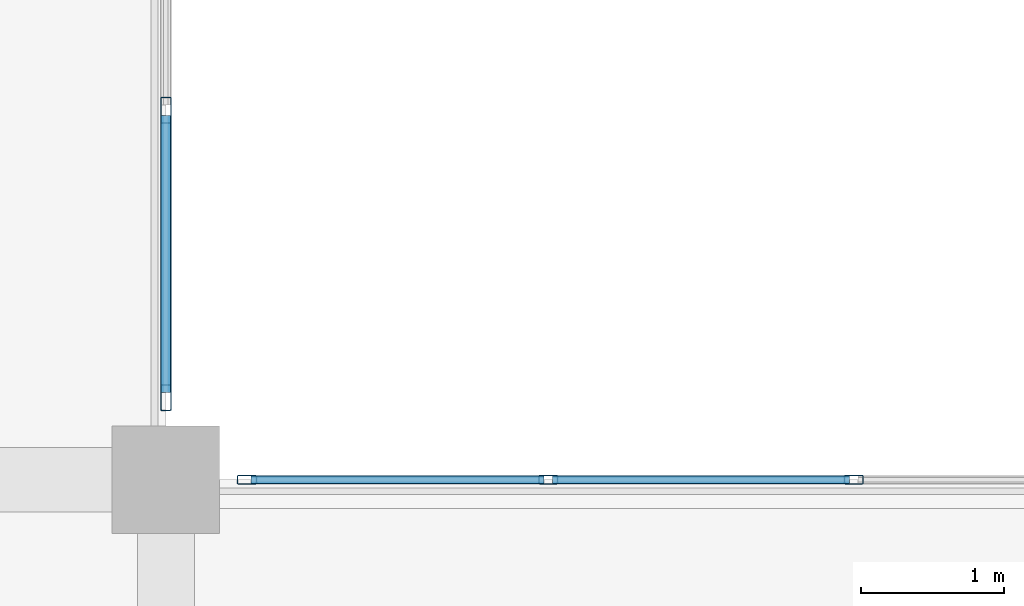
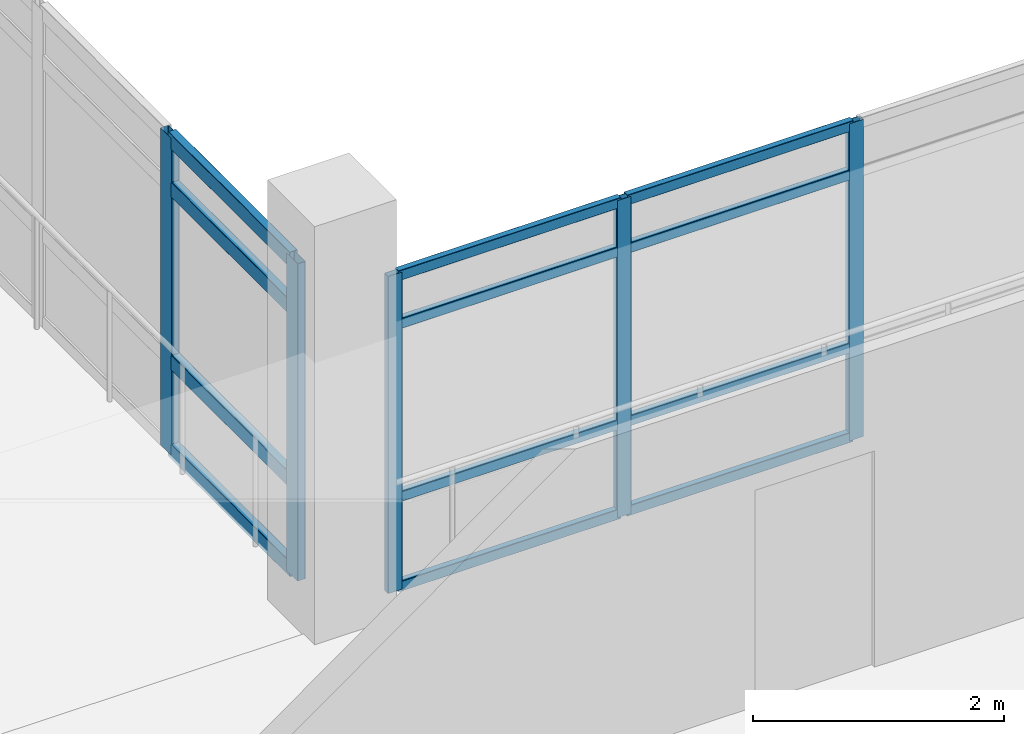
# One storey, part 80 of 180: 17 members, 2 elements without a shape of their own.
"""IFC4 building model written with IfcOpenShell, lengths in metres."""

import ifcopenshell
import ifcopenshell.guid

model = None  # the IFC model being written
_history = None  # IfcOwnerHistory: only IFC2X3 demands one
_inside = {}  # id of a spatial element -> (the spatial element, [elements in it])
_under = {}  # id of a project, library or spatial element -> (it, [spatial elements below it])
_declared = {}  # id of a project -> (the project, [libraries it declares])
_typed = {}  # id of a type object -> (the type object, [elements of that type])
_made_of = {}  # id of a material, layer set ... -> (it, [elements and type objects made of it])


def new_model(schema):
    """Start an empty IFC model of exactly this schema.

    Asked for "IFC4X3", IfcOpenShell would pick the latest addendum, in which some entities
    have other attributes; the version numbers below select the first issue.
    IFC2X3 requires an IfcOwnerHistory on every rooted entity: one is made here for all.
    """
    global model, _history
    if schema == "IFC4X3":
        model = ifcopenshell.file(schema_version=(4, 3, 0, 0))
    else:
        model = ifcopenshell.file(schema=schema)
    _inside.clear()
    _under.clear()
    _declared.clear()
    _typed.clear()
    _made_of.clear()
    _history = None
    if model.schema == "IFC2X3":
        org = make("IfcOrganization", Name="unknown")
        user = make(
            "IfcPersonAndOrganization",
            ThePerson=make("IfcPerson", FamilyName="unknown"),
            TheOrganization=org,
        )
        app = make(
            "IfcApplication",
            ApplicationDeveloper=org,
            Version="unknown",
            ApplicationFullName="unknown",
            ApplicationIdentifier="unknown",
        )
        _history = make(
            "IfcOwnerHistory",
            OwningUser=user,
            OwningApplication=app,
            ChangeAction="ADDED",
            CreationDate=0,
        )
    return model


def make(cls, **values):
    """One entity of the class cls with the attributes given. An attribute that is None is left unset."""
    return model.create_entity(
        cls, **{name: value for name, value in values.items() if value is not None}
    )


def rooted(cls, **values):
    """An entity with a GlobalId (a new one), such as an element, a storey or a relation."""
    return make(cls, GlobalId=ifcopenshell.guid.new(), OwnerHistory=_history, **values)


def si_unit(unit_type, name, prefix=None):
    """IfcSIUnit, for example si_unit("LENGTHUNIT", "METRE", prefix="MILLI")."""
    return make("IfcSIUnit", UnitType=unit_type, Prefix=prefix, Name=name)


def assignment(units):
    """IfcUnitAssignment: the units of a project."""
    return None if units is None else make("IfcUnitAssignment", Units=units)


def point(xyz):
    """IfcCartesianPoint."""
    return None if xyz is None else make("IfcCartesianPoint", Coordinates=xyz)


def direction(xyz):
    """IfcDirection."""
    return None if xyz is None else make("IfcDirection", DirectionRatios=xyz)


def frame(location, z_axis=None, x_axis=None):
    """IfcAxis2Placement3D, a coordinate frame: its origin and axes. An axis left out is left unset."""
    return make(
        "IfcAxis2Placement3D",
        Location=point(location),
        Axis=direction(z_axis),
        RefDirection=direction(x_axis),
    )


def frame_2d(location, x_axis=None):
    """IfcAxis2Placement2D, a coordinate frame in the plane: its origin and x axis."""
    return make(
        "IfcAxis2Placement2D", Location=point(location), RefDirection=direction(x_axis)
    )


def origin():
    """The frame at (0, 0, 0) with its axes left unset."""
    return frame((0.0, 0.0, 0.0))


def origin_2d():
    """The frame at (0, 0) in the plane with its x axis left unset."""
    return frame_2d((0.0, 0.0))


def place(relative_to, where):
    """IfcLocalPlacement: puts the frame where relative to a parent placement (None: the world)."""
    return make(
        "IfcLocalPlacement", PlacementRelTo=relative_to, RelativePlacement=where
    )


def context(
    kind, dimensions, precision=None, world=None, true_north=None, identifier=None
):
    """IfcGeometricRepresentationContext, for example the 3D "Model" context."""
    return make(
        "IfcGeometricRepresentationContext",
        ContextIdentifier=identifier,
        ContextType=kind,
        CoordinateSpaceDimension=dimensions,
        Precision=precision,
        WorldCoordinateSystem=world,
        TrueNorth=true_north,
    )


def subcontext(parent, identifier, kind, view, scale=None):
    """IfcGeometricRepresentationSubContext, for example "Body" below "Model"."""
    return make(
        "IfcGeometricRepresentationSubContext",
        ContextIdentifier=identifier,
        ContextType=kind,
        ParentContext=parent,
        TargetScale=scale,
        TargetView=view,
    )


def project(units=None, contexts=None):
    """IfcProject with its units and contexts."""
    return rooted(
        "IfcProject",
        Name="project",
        RepresentationContexts=contexts,
        UnitsInContext=assignment(units),
    )


def spatial(cls, under=None, at=None, **own):
    """A site, building, storey or space (cls), placed at a placement, below another one or the project."""
    s = rooted(cls, ObjectPlacement=at, **own)
    if under is not None:
        _under.setdefault(under.id(), (under, []))[1].append(s)
    return s


def profile(cls, at=None, kind="AREA", **sizes):
    """A parametric profile (cls). Its sizes go by their IFC names, for example OverallWidth=200.0."""
    return make(cls, ProfileType=kind, Position=at, **sizes)


def hollow_rectangle(**sizes):
    """IfcRectangleHollowProfileDef."""
    return profile("IfcRectangleHollowProfileDef", **sizes)


def extrude(swept, where, along, depth):
    """IfcExtrudedAreaSolid: the profile swept, set in the frame where, extruded along a direction by depth."""
    return make(
        "IfcExtrudedAreaSolid",
        SweptArea=swept,
        Position=where,
        ExtrudedDirection=direction(along),
        Depth=depth,
    )


def shape(context_of_items, identifier, shape_type, items):
    """IfcShapeRepresentation: the items that make up one representation, for example the "Body"."""
    return make(
        "IfcShapeRepresentation",
        ContextOfItems=context_of_items,
        RepresentationIdentifier=identifier,
        RepresentationType=shape_type,
        Items=items,
    )


def material(Name=None, Category=None):
    """IfcMaterial."""
    return make("IfcMaterial", Name=Name, Category=Category)


def layer(
    of_material, thickness, ventilated=None, Name=None, Category=None, Priority=None
):
    """IfcMaterialLayer: one layer of a wall or slab, of a material (None: an air gap)."""
    return make(
        "IfcMaterialLayer",
        Material=of_material,
        LayerThickness=thickness,
        IsVentilated=ventilated,
        Name=Name,
        Category=Category,
        Priority=Priority,
    )


def layer_set(layers, Name=None):
    """IfcMaterialLayerSet."""
    return make("IfcMaterialLayerSet", MaterialLayers=layers, LayerSetName=Name)


def material_profile(
    of_material, cross_section, Name=None, Category=None, Priority=None
):
    """IfcMaterialProfile: a cross section and its material."""
    return make(
        "IfcMaterialProfile",
        Name=Name,
        Material=of_material,
        Profile=cross_section,
        Priority=Priority,
        Category=Category,
    )


def profile_set(profiles, Name=None, composite=None):
    """IfcMaterialProfileSet."""
    return make(
        "IfcMaterialProfileSet",
        Name=Name,
        MaterialProfiles=profiles,
        CompositeProfile=composite,
    )


def made_of(thing, what):
    """Note that an element or type object is made of a material, layer set ...; save() writes the relation."""
    if what is not None:
        _made_of.setdefault(what.id(), (what, []))[1].append(thing)
    return thing


def type_object(cls, material=None, **own):
    """A type object (cls), such as IfcWallType, which elements share."""
    return made_of(rooted(cls, **own), material)


def element(
    cls,
    number,
    at=None,
    inside=None,
    cuts=None,
    type_object=None,
    material=None,
    context=None,
    identifier="Body",
    shape_type=None,
    held_by="IfcProductDefinitionShape",
    body=None,
    shapes=None,
    **own,
):
    """One element of the class cls, such as IfcWall. Its Tag is "e" and its number.

    at: its placement. inside: the storey or other place that contains it. cuts: it is an
    opening in that element (IfcRelVoidsElement). A single representation is given by context,
    identifier, shape_type and body (its items); several are given by shapes. held_by: the class
    of the entity that holds the representations. save() writes the other relations.
    """
    e = rooted(cls, Tag="e%d" % number, ObjectPlacement=at, **own)
    if body is not None:
        shapes = [shape(context, identifier, shape_type, body)]
    if shapes is not None:
        e.Representation = make(held_by, Representations=shapes)
    if inside is not None:
        _inside.setdefault(inside.id(), (inside, []))[1].append(e)
    if cuts is not None:
        rooted(
            "IfcRelVoidsElement", RelatingBuildingElement=cuts, RelatedOpeningElement=e
        )
    if type_object is not None:
        _typed.setdefault(type_object.id(), (type_object, []))[1].append(e)
    return made_of(e, material)


def aggregate(whole, parts):
    """IfcRelAggregates: a whole, such as a stair, and the parts it consists of."""
    return rooted("IfcRelAggregates", RelatingObject=whole, RelatedObjects=parts)


def save(model, path):
    """Write the relations noted so far, then the file.

    IfcRelAggregates (storeys below a building ...), IfcRelContainedInSpatialStructure (elements
    in a storey), IfcRelDefinesByType, IfcRelAssociatesMaterial and IfcRelDeclares: one each for
    every whole, place, type object, material and project.
    """
    for whole, parts in _under.values():
        aggregate(whole, parts)
    for where, things in _inside.values():
        rooted(
            "IfcRelContainedInSpatialStructure",
            RelatedElements=things,
            RelatingStructure=where,
        )
    for kind, things in _typed.values():
        rooted("IfcRelDefinesByType", RelatedObjects=things, RelatingType=kind)
    for what, things in _made_of.values():
        rooted("IfcRelAssociatesMaterial", RelatedObjects=things, RelatingMaterial=what)
    for by, libraries in _declared.values():
        rooted("IfcRelDeclares", RelatingContext=by, RelatedDefinitions=libraries)
    model.write(path)


model = new_model("IFC4")

# Units and contexts
model_context = context("Model", 3, precision=1e-05, world=origin(), true_north=direction((0.0, 1.0)))
body_context = subcontext(model_context, "Body", "Model", "MODEL_VIEW")
ifc_project = project(units=[si_unit("LENGTHUNIT", "METRE"), si_unit("AREAUNIT", "SQUARE_METRE"), si_unit("VOLUMEUNIT", "CUBIC_METRE"), si_unit("PLANEANGLEUNIT", "RADIAN"), si_unit("MASSUNIT", "GRAM", prefix="KILO")], contexts=[model_context])

# Site, building, storey
site_placement = place(None, origin())
site = spatial("IfcSite", under=ifc_project, at=site_placement, CompositionType="ELEMENT")
building_placement = place(site_placement, origin())
building = spatial("IfcBuilding", under=site, at=building_placement, Name="Asteropetra Specialist Clinic", CompositionType="ELEMENT")
storey_placement = place(building_placement, frame((0.0, 0.0, 4.419921875)))
storey = spatial("IfcBuildingStorey", under=building, at=storey_placement, Name="L01", CompositionType="ELEMENT", Elevation=4.419921875)

# Curtain wall, members
ifc_material_1 = material(Name="Aluminium and low-E glass", Category="aluminium")
ifc_layer_1 = layer(ifc_material_1, 0.14990234375)
ifc_layer_set_1 = layer_set([ifc_layer_1], Name="Aluminium and low-E glass")
curtain_wall_type_1 = type_object("IfcCurtainWallType", Name="CW-SYS-02", PredefinedType="USERDEFINED", material=ifc_layer_set_1)
curtain_wall_1_placement = place(storey_placement, origin())
curtain_wall_1 = element("IfcCurtainWall", 1, at=curtain_wall_1_placement, inside=storey, type_object=curtain_wall_type_1, Name="Curtain Wall CW-017", ObjectType="UNITISED CURTAIN WALL", PredefinedType="USERDEFINED")
ifc_material_2 = material(Name="Aluminium 6063-T6", Category="aluminium")
ifc_material_profile_1 = material_profile(ifc_material_2, hollow_rectangle(XDim=0.06005859375, YDim=0.135009765625, WallThickness=0.00341796875, InnerFilletRadius=0.00341796875, OuterFilletRadius=0.007080078125, at=origin_2d()), Name="MUL 135x60x3.5")
ifc_profile_set_1 = profile_set([ifc_material_profile_1], Name="Aluminium 6063-T6")
member_type_1 = type_object("IfcMemberType", Name="CWM-135x60", PredefinedType="MULLION", material=ifc_profile_set_1)
member_1_placement = place(storey_placement, frame((10.1650390625, 76.800048828125, 0.0), z_axis=(0.0, 0.0, 1.0), x_axis=(0.0, 1.0, 0.0)))
member_1 = element("IfcMember", 2, at=member_1_placement, type_object=member_type_1, Name="CW-017 mullion 1", PredefinedType="MULLION", context=body_context, shape_type="SweptSolid", body=[
    extrude(hollow_rectangle(XDim=0.06005859375, YDim=0.135009765625, WallThickness=0.00341796875, InnerFilletRadius=0.00341796875, OuterFilletRadius=0.007080078125, at=origin_2d()), origin(), (0.0, 0.0, 1.0), 3.080078125),
])
member_2_placement = place(storey_placement, frame((12.267578125, 76.800048828125, 0.0), z_axis=(0.0, 0.0, 1.0), x_axis=(0.0, 1.0, 0.0)))
member_2 = element("IfcMember", 3, at=member_2_placement, type_object=member_type_1, Name="CW-017 mullion 2", PredefinedType="MULLION", context=body_context, shape_type="SweptSolid", body=[
    extrude(hollow_rectangle(XDim=0.06005859375, YDim=0.135009765625, WallThickness=0.00341796875, InnerFilletRadius=0.00341796875, OuterFilletRadius=0.007080078125, at=origin_2d()), origin(), (0.0, 0.0, 1.0), 3.080078125),
])
member_3_placement = place(storey_placement, frame((14.39990234375, 76.800048828125, 0.0), z_axis=(0.0, 0.0, 1.0), x_axis=(0.0, 1.0, 0.0)))
member_3 = element("IfcMember", 4, at=member_3_placement, type_object=member_type_1, Name="CW-017 mullion 3", PredefinedType="MULLION", context=body_context, shape_type="SweptSolid", body=[
    extrude(hollow_rectangle(XDim=0.06005859375, YDim=0.135009765625, WallThickness=0.00341796875, InnerFilletRadius=0.00341796875, OuterFilletRadius=0.007080078125, at=origin_2d()), origin(), (0.0, 0.0, 1.0), 3.080078125),
])

ifc_material_3 = material(Name="Aluminium and low-E glass", Category="aluminium")
ifc_layer_2 = layer(ifc_material_3, 0.179931640625)
ifc_layer_set_2 = layer_set([ifc_layer_2], Name="Aluminium and low-E glass")
curtain_wall_type_2 = type_object("IfcCurtainWallType", Name="CW-SYS-04", PredefinedType="USERDEFINED", material=ifc_layer_set_2)
curtain_wall_2_placement = place(storey_placement, origin())
curtain_wall_2 = element("IfcCurtainWall", 5, at=curtain_wall_2_placement, inside=storey, type_object=curtain_wall_type_2, Name="Curtain Wall CW-021", ObjectType="UNITISED CURTAIN WALL", PredefinedType="USERDEFINED")
ifc_material_4 = material(Name="Aluminium 6063-T6", Category="aluminium")
ifc_material_profile_2 = material_profile(ifc_material_4, hollow_rectangle(XDim=0.074951171875, YDim=0.179931640625, WallThickness=0.00390625, InnerFilletRadius=0.00390625, OuterFilletRadius=0.008056640625, at=origin_2d()), Name="MUL 180x75x4.0")
ifc_profile_set_2 = profile_set([ifc_material_profile_2], Name="Aluminium 6063-T6")
member_type_2 = type_object("IfcMemberType", Name="CWM-180x75", PredefinedType="MULLION", material=ifc_profile_set_2)
member_4_placement = place(storey_placement, frame((9.60009765625, 79.37841796875, 0.0), z_axis=(0.0, 0.0, 1.0), x_axis=(1.0, 0.0, 0.0)))
member_4 = element("IfcMember", 6, at=member_4_placement, type_object=member_type_2, Name="CW-021 mullion 3", PredefinedType="MULLION", context=body_context, shape_type="SweptSolid", body=[
    extrude(hollow_rectangle(XDim=0.074951171875, YDim=0.179931640625, WallThickness=0.00390625, InnerFilletRadius=0.00390625, OuterFilletRadius=0.008056640625, at=origin_2d()), origin(), (0.0, 0.0, 1.0), 3.080078125),
])
member_5_placement = place(storey_placement, frame((9.60009765625, 77.37255859375, 0.0), z_axis=(0.0, 0.0, 1.0), x_axis=(1.0, 0.0, 0.0)))
member_5 = element("IfcMember", 7, at=member_5_placement, type_object=member_type_2, Name="CW-021 mullion 4", PredefinedType="MULLION", context=body_context, shape_type="SweptSolid", body=[
    extrude(hollow_rectangle(XDim=0.074951171875, YDim=0.179931640625, WallThickness=0.00390625, InnerFilletRadius=0.00390625, OuterFilletRadius=0.008056640625, at=origin_2d()), origin(), (0.0, 0.0, 1.0), 3.080078125),
])

# Member
ifc_material_5 = material(Name="Aluminium 6063-T6", Category="aluminium")
ifc_material_profile_3 = material_profile(ifc_material_5, hollow_rectangle(XDim=0.06005859375, YDim=0.10009765625, WallThickness=0.00341796875, InnerFilletRadius=0.00341796875, OuterFilletRadius=0.007080078125, at=origin_2d()), Name="TRN 100x60x3.5")
ifc_profile_set_3 = profile_set([ifc_material_profile_3], Name="Aluminium 6063-T6")
member_type_3 = type_object("IfcMemberType", Name="CWT-100x60", PredefinedType="USERDEFINED", material=ifc_profile_set_3)
member_6_placement = place(storey_placement, frame((10.195068359375, 76.800048828125, 0.030029296875), z_axis=(1.0, 0.0, 0.0), x_axis=(0.0, 1.0, 0.0)))
member_6 = element("IfcMember", 8, at=member_6_placement, type_object=member_type_3, Name="CW-017 transom 1.1", ObjectType="TRANSOM", PredefinedType="USERDEFINED", context=body_context, shape_type="SweptSolid", body=[
    extrude(hollow_rectangle(XDim=0.06005859375, YDim=0.10009765625, WallThickness=0.00341796875, InnerFilletRadius=0.00341796875, OuterFilletRadius=0.007080078125, at=origin_2d()), origin(), (0.0, 0.0, 1.0), 2.04248046875),
])

member_7_placement = place(storey_placement, frame((10.195068359375, 76.800048828125, 0.900146484375), z_axis=(1.0, 0.0, 0.0), x_axis=(0.0, 1.0, 0.0)))
member_7 = element("IfcMember", 9, at=member_7_placement, type_object=member_type_3, Name="CW-017 transom 1.2", ObjectType="TRANSOM", PredefinedType="USERDEFINED", context=body_context, shape_type="SweptSolid", body=[
    extrude(hollow_rectangle(XDim=0.06005859375, YDim=0.10009765625, WallThickness=0.00341796875, InnerFilletRadius=0.00341796875, OuterFilletRadius=0.007080078125, at=origin_2d()), origin(), (0.0, 0.0, 1.0), 2.04248046875),
])

member_8_placement = place(storey_placement, frame((10.195068359375, 76.800048828125, 2.580078125), z_axis=(1.0, 0.0, 0.0), x_axis=(0.0, 1.0, 0.0)))
member_8 = element("IfcMember", 10, at=member_8_placement, type_object=member_type_3, Name="CW-017 transom 1.3", ObjectType="TRANSOM", PredefinedType="USERDEFINED", context=body_context, shape_type="SweptSolid", body=[
    extrude(hollow_rectangle(XDim=0.06005859375, YDim=0.10009765625, WallThickness=0.00341796875, InnerFilletRadius=0.00341796875, OuterFilletRadius=0.007080078125, at=origin_2d()), origin(), (0.0, 0.0, 1.0), 2.04248046875),
])

member_9_placement = place(storey_placement, frame((10.195068359375, 76.800048828125, 3.050048828125), z_axis=(1.0, 0.0, 0.0), x_axis=(0.0, 1.0, 0.0)))
member_9 = element("IfcMember", 11, at=member_9_placement, type_object=member_type_3, Name="CW-017 transom 1.4", ObjectType="TRANSOM", PredefinedType="USERDEFINED", context=body_context, shape_type="SweptSolid", body=[
    extrude(hollow_rectangle(XDim=0.06005859375, YDim=0.10009765625, WallThickness=0.00341796875, InnerFilletRadius=0.00341796875, OuterFilletRadius=0.007080078125, at=origin_2d()), origin(), (0.0, 0.0, 1.0), 2.04248046875),
])

member_10_placement = place(storey_placement, frame((12.297607421875, 76.800048828125, 0.030029296875), z_axis=(1.0, 0.0, 0.0), x_axis=(0.0, 1.0, 0.0)))
member_10 = element("IfcMember", 12, at=member_10_placement, type_object=member_type_3, Name="CW-017 transom 2.1", ObjectType="TRANSOM", PredefinedType="USERDEFINED", context=body_context, shape_type="SweptSolid", body=[
    extrude(hollow_rectangle(XDim=0.06005859375, YDim=0.10009765625, WallThickness=0.00341796875, InnerFilletRadius=0.00341796875, OuterFilletRadius=0.007080078125, at=origin_2d()), origin(), (0.0, 0.0, 1.0), 2.072509765625),
])

member_11_placement = place(storey_placement, frame((12.297607421875, 76.800048828125, 0.900146484375), z_axis=(1.0, 0.0, 0.0), x_axis=(0.0, 1.0, 0.0)))
member_11 = element("IfcMember", 13, at=member_11_placement, type_object=member_type_3, Name="CW-017 transom 2.2", ObjectType="TRANSOM", PredefinedType="USERDEFINED", context=body_context, shape_type="SweptSolid", body=[
    extrude(hollow_rectangle(XDim=0.06005859375, YDim=0.10009765625, WallThickness=0.00341796875, InnerFilletRadius=0.00341796875, OuterFilletRadius=0.007080078125, at=origin_2d()), origin(), (0.0, 0.0, 1.0), 2.072509765625),
])

member_12_placement = place(storey_placement, frame((12.297607421875, 76.800048828125, 2.580078125), z_axis=(1.0, 0.0, 0.0), x_axis=(0.0, 1.0, 0.0)))
member_12 = element("IfcMember", 14, at=member_12_placement, type_object=member_type_3, Name="CW-017 transom 2.3", ObjectType="TRANSOM", PredefinedType="USERDEFINED", context=body_context, shape_type="SweptSolid", body=[
    extrude(hollow_rectangle(XDim=0.06005859375, YDim=0.10009765625, WallThickness=0.00341796875, InnerFilletRadius=0.00341796875, OuterFilletRadius=0.007080078125, at=origin_2d()), origin(), (0.0, 0.0, 1.0), 2.072509765625),
])

member_13_placement = place(storey_placement, frame((12.297607421875, 76.800048828125, 3.050048828125), z_axis=(1.0, 0.0, 0.0), x_axis=(0.0, 1.0, 0.0)))
member_13 = element("IfcMember", 15, at=member_13_placement, type_object=member_type_3, Name="CW-017 transom 2.4", ObjectType="TRANSOM", PredefinedType="USERDEFINED", context=body_context, shape_type="SweptSolid", body=[
    extrude(hollow_rectangle(XDim=0.06005859375, YDim=0.10009765625, WallThickness=0.00341796875, InnerFilletRadius=0.00341796875, OuterFilletRadius=0.007080078125, at=origin_2d()), origin(), (0.0, 0.0, 1.0), 2.072509765625),
])

aggregate(curtain_wall_1, [member_1, member_2, member_3, member_6, member_7, member_8, member_9, member_10, member_11, member_12, member_13])

ifc_material_6 = material(Name="Aluminium 6063-T6", Category="aluminium")
ifc_material_profile_4 = material_profile(ifc_material_6, hollow_rectangle(XDim=0.074951171875, YDim=0.14990234375, WallThickness=0.00390625, InnerFilletRadius=0.00390625, OuterFilletRadius=0.008056640625, at=origin_2d()), Name="TRN 150x75x4.0")
ifc_profile_set_4 = profile_set([ifc_material_profile_4], Name="Aluminium 6063-T6")
member_type_4 = type_object("IfcMemberType", Name="CWT-150x75", PredefinedType="USERDEFINED", material=ifc_profile_set_4)
member_14_placement = place(storey_placement, frame((9.60009765625, 79.3408203125, 0.03759765625), z_axis=(0.0, -1.0, 0.0), x_axis=(1.0, 0.0, 0.0)))
member_14 = element("IfcMember", 16, at=member_14_placement, type_object=member_type_4, Name="CW-021 transom 3.1", ObjectType="TRANSOM", PredefinedType="USERDEFINED", context=body_context, shape_type="SweptSolid", body=[
    extrude(hollow_rectangle(XDim=0.074951171875, YDim=0.14990234375, WallThickness=0.00390625, InnerFilletRadius=0.00390625, OuterFilletRadius=0.008056640625, at=origin_2d()), origin(), (0.0, 0.0, 1.0), 1.930908203125),
])

member_15_placement = place(storey_placement, frame((9.60009765625, 79.3408203125, 0.900146484375), z_axis=(0.0, -1.0, 0.0), x_axis=(1.0, 0.0, 0.0)))
member_15 = element("IfcMember", 17, at=member_15_placement, type_object=member_type_4, Name="CW-021 transom 3.2", ObjectType="TRANSOM", PredefinedType="USERDEFINED", context=body_context, shape_type="SweptSolid", body=[
    extrude(hollow_rectangle(XDim=0.074951171875, YDim=0.14990234375, WallThickness=0.00390625, InnerFilletRadius=0.00390625, OuterFilletRadius=0.008056640625, at=origin_2d()), origin(), (0.0, 0.0, 1.0), 1.930908203125),
])

member_16_placement = place(storey_placement, frame((9.60009765625, 79.3408203125, 2.580078125), z_axis=(0.0, -1.0, 0.0), x_axis=(1.0, 0.0, 0.0)))
member_16 = element("IfcMember", 18, at=member_16_placement, type_object=member_type_4, Name="CW-021 transom 3.3", ObjectType="TRANSOM", PredefinedType="USERDEFINED", context=body_context, shape_type="SweptSolid", body=[
    extrude(hollow_rectangle(XDim=0.074951171875, YDim=0.14990234375, WallThickness=0.00390625, InnerFilletRadius=0.00390625, OuterFilletRadius=0.008056640625, at=origin_2d()), origin(), (0.0, 0.0, 1.0), 1.930908203125),
])

member_17_placement = place(storey_placement, frame((9.60009765625, 79.3408203125, 3.04248046875), z_axis=(0.0, -1.0, 0.0), x_axis=(1.0, 0.0, 0.0)))
member_17 = element("IfcMember", 19, at=member_17_placement, type_object=member_type_4, Name="CW-021 transom 3.4", ObjectType="TRANSOM", PredefinedType="USERDEFINED", context=body_context, shape_type="SweptSolid", body=[
    extrude(hollow_rectangle(XDim=0.074951171875, YDim=0.14990234375, WallThickness=0.00390625, InnerFilletRadius=0.00390625, OuterFilletRadius=0.008056640625, at=origin_2d()), origin(), (0.0, 0.0, 1.0), 1.930908203125),
])

aggregate(curtain_wall_2, [member_4, member_5, member_14, member_15, member_16, member_17])

save(model, "model.ifc")
